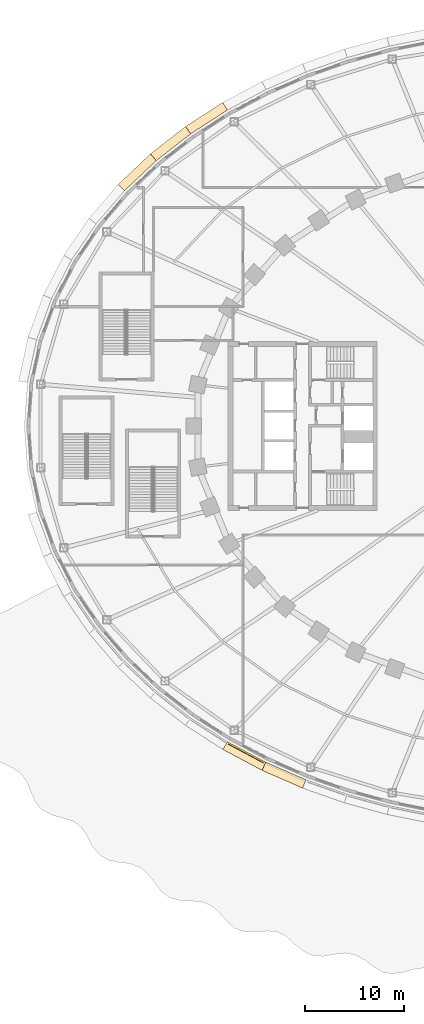
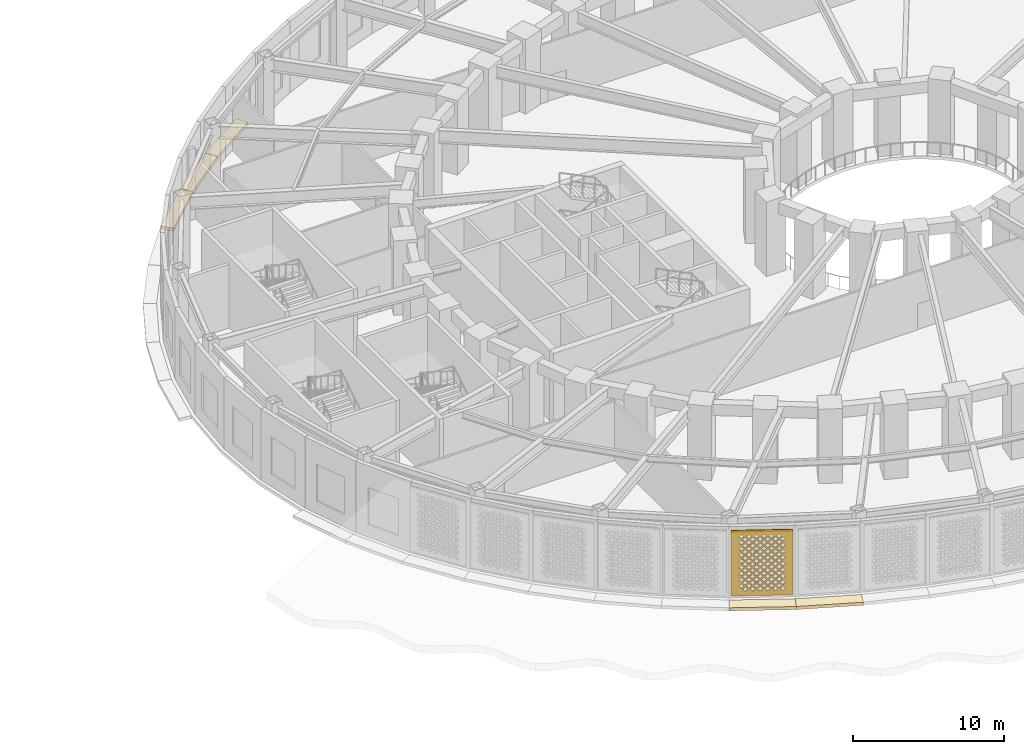
# One storey, part 50 of 74: 6 coverings.
"""IFC4 building model written with IfcOpenShell, lengths in metres."""

from ifc_helpers import new_model, si_unit, direction, frame, origin, place, context, subcontext, project, spatial, polyline, outline, extrude, material, layer, layer_set, type_object, element, save


model = new_model("IFC4")

# Units and contexts
model_context = context("Model", 3, precision=1e-05, world=origin(), true_north=direction((0.0, 1.0)))
body_context = subcontext(model_context, "Body", "Model", "MODEL_VIEW")
ifc_project = project(units=[si_unit("LENGTHUNIT", "METRE"), si_unit("AREAUNIT", "SQUARE_METRE"), si_unit("VOLUMEUNIT", "CUBIC_METRE"), si_unit("PLANEANGLEUNIT", "RADIAN"), si_unit("MASSUNIT", "GRAM", prefix="KILO")], contexts=[model_context])

# Site, building, storey
site_placement = place(None, origin())
site = spatial("IfcSite", under=ifc_project, at=site_placement, CompositionType="ELEMENT")
building_placement = place(site_placement, origin())
building = spatial("IfcBuilding", under=site, at=building_placement, Name="Noorbagh Ring Tower", CompositionType="ELEMENT")
storey_placement = place(building_placement, frame((0.0, 0.0, 7.5)))
storey = spatial("IfcBuildingStorey", under=building, at=storey_placement, Name="L01", CompositionType="ELEMENT", Elevation=7.5)

# Coverings
ifc_material_1 = material(Name="Red sandstone eave", Category="masonry")
covering_type_1 = type_object("IfcCoveringType", Name="STY-CHHAJJA", PredefinedType="USERDEFINED", material=ifc_material_1)
covering_1_placement = place(storey_placement, frame((0.0, 0.0, -0.25)))
element("IfcCovering", 1, at=covering_1_placement, inside=storey, type_object=covering_type_1, Name="Chhajja eave", ObjectType="CHHAJJA", PredefinedType="USERDEFINED", context=body_context, shape_type="SweptSolid", body=[
    extrude(outline(polyline([(-31.5546875, 31.793701171875), (-35.247802734375, 29.408203125), (-35.769775390625, 30.142578125), (-32.011474609375, 32.56982421875), (-31.5546875, 31.793701171875)])), origin(), (0.0, 0.0, 1.0), 0.25),
])
covering_2_placement = place(storey_placement, frame((0.0, 0.0, -0.25)))
element("IfcCovering", 2, at=covering_2_placement, inside=storey, type_object=covering_type_1, Name="Chhajja eave", ObjectType="CHHAJJA", PredefinedType="USERDEFINED", context=body_context, shape_type="SweptSolid", body=[
    extrude(outline(polyline([(-35.247802734375, 29.408203125), (-38.71435546875, 26.70458984375), (-39.3017578125, 27.3876953125), (-35.769775390625, 30.142578125), (-35.247802734375, 29.408203125)])), origin(), (0.0, 0.0, 1.0), 0.25),
])
covering_3_placement = place(storey_placement, frame((0.0, 0.0, -0.25)))
element("IfcCovering", 3, at=covering_3_placement, inside=storey, type_object=covering_type_1, Name="Chhajja eave", ObjectType="CHHAJJA", PredefinedType="USERDEFINED", context=body_context, shape_type="SweptSolid", body=[
    extrude(outline(polyline([(-38.71435546875, 26.70458984375), (-41.906494140625, 23.682373046875), (-42.55908203125, 24.3037109375), (-39.3017578125, 27.3876953125), (-38.71435546875, 26.70458984375)])), origin(), (0.0, 0.0, 1.0), 0.25),
])
covering_4_placement = place(storey_placement, frame((0.0, 0.0, -0.25)))
element("IfcCovering", 4, at=covering_4_placement, inside=storey, type_object=covering_type_1, Name="Chhajja eave", ObjectType="CHHAJJA", PredefinedType="USERDEFINED", context=body_context, shape_type="SweptSolid", body=[
    extrude(outline(polyline([(-31.5546875, -31.793701171875), (-27.67578125, -33.864013671875), (-28.068603515625, -34.674560546875), (-32.011474609375, -32.56982421875), (-31.5546875, -31.793701171875)])), origin(), (0.0, 0.0, 1.0), 0.25),
])
covering_5_placement = place(storey_placement, frame((0.0, 0.0, -0.25)))
element("IfcCovering", 5, at=covering_5_placement, inside=storey, type_object=covering_type_1, Name="Chhajja eave", ObjectType="CHHAJJA", PredefinedType="USERDEFINED", context=body_context, shape_type="SweptSolid", body=[
    extrude(outline(polyline([(-27.67578125, -33.864013671875), (-23.647216796875, -35.624755859375), (-23.976806640625, -36.462890625), (-28.068603515625, -34.674560546875), (-27.67578125, -33.864013671875)])), origin(), (0.0, 0.0, 1.0), 0.25),
])
ifc_material_2 = material(Name="Red sandstone jali", Category="masonry")
ifc_layer = layer(ifc_material_2, 0.0400390625)
ifc_layer_set = layer_set([ifc_layer], Name="Red sandstone jali")
covering_type_2 = type_object("IfcCoveringType", Name="STY-JALI", PredefinedType="USERDEFINED", material=ifc_layer_set)
covering_6_placement = place(storey_placement, frame((-31.51171875, -32.031982421875, 0.449951171875), z_axis=(-0.470869695201, -0.882202771556, 0.0), x_axis=(0.882202771556, -0.470869695201, 0.0)))
element("IfcCovering", 6, at=covering_6_placement, inside=storey, type_object=covering_type_2, Name="Jali screen", ObjectType="SCREEN", PredefinedType="USERDEFINED", context=body_context, shape_type="SweptSolid", body=[
    extrude(outline(polyline([(0.0, 0.0), (4.0966796875, 0.0), (4.0966796875, 5.300048828125), (0.0, 5.300048828125), (0.0, 0.0)]), holes=[polyline([(0.743408203125, 0.52490234375), (0.92333984375, 0.344970703125), (1.103271484375, 0.52490234375), (0.92333984375, 0.705078125), (0.743408203125, 0.52490234375)]), polyline([(1.243408203125, 0.52490234375), (1.42333984375, 0.344970703125), (1.603271484375, 0.52490234375), (1.42333984375, 0.705078125), (1.243408203125, 0.52490234375)]), polyline([(1.743408203125, 0.52490234375), (1.92333984375, 0.344970703125), (2.103271484375, 0.52490234375), (1.92333984375, 0.705078125), (1.743408203125, 0.52490234375)]), polyline([(2.243408203125, 0.52490234375), (2.42333984375, 0.344970703125), (2.603271484375, 0.52490234375), (2.42333984375, 0.705078125), (2.243408203125, 0.52490234375)]), polyline([(2.743408203125, 0.52490234375), (2.92333984375, 0.344970703125), (3.103271484375, 0.52490234375), (2.92333984375, 0.705078125), (2.743408203125, 0.52490234375)]), polyline([(3.243408203125, 0.52490234375), (3.42333984375, 0.344970703125), (3.603271484375, 0.52490234375), (3.42333984375, 0.705078125), (3.243408203125, 0.52490234375)]), polyline([(0.493408203125, 0.77490234375), (0.67333984375, 0.594970703125), (0.853271484375, 0.77490234375), (0.67333984375, 0.955078125), (0.493408203125, 0.77490234375)]), polyline([(0.993408203125, 0.77490234375), (1.17333984375, 0.594970703125), (1.353271484375, 0.77490234375), (1.17333984375, 0.955078125), (0.993408203125, 0.77490234375)]), polyline([(1.493408203125, 0.77490234375), (1.67333984375, 0.594970703125), (1.853271484375, 0.77490234375), (1.67333984375, 0.955078125), (1.493408203125, 0.77490234375)]), polyline([(1.993408203125, 0.77490234375), (2.17333984375, 0.594970703125), (2.353271484375, 0.77490234375), (2.17333984375, 0.955078125), (1.993408203125, 0.77490234375)]), polyline([(2.493408203125, 0.77490234375), (2.67333984375, 0.594970703125), (2.853271484375, 0.77490234375), (2.67333984375, 0.955078125), (2.493408203125, 0.77490234375)]), polyline([(2.993408203125, 0.77490234375), (3.17333984375, 0.594970703125), (3.353271484375, 0.77490234375), (3.17333984375, 0.955078125), (2.993408203125, 0.77490234375)]), polyline([(0.743408203125, 1.02490234375), (0.92333984375, 0.844970703125), (1.103271484375, 1.02490234375), (0.92333984375, 1.205078125), (0.743408203125, 1.02490234375)]), polyline([(1.243408203125, 1.02490234375), (1.42333984375, 0.844970703125), (1.603271484375, 1.02490234375), (1.42333984375, 1.205078125), (1.243408203125, 1.02490234375)]), polyline([(1.743408203125, 1.02490234375), (1.92333984375, 0.844970703125), (2.103271484375, 1.02490234375), (1.92333984375, 1.205078125), (1.743408203125, 1.02490234375)]), polyline([(2.243408203125, 1.02490234375), (2.42333984375, 0.844970703125), (2.603271484375, 1.02490234375), (2.42333984375, 1.205078125), (2.243408203125, 1.02490234375)]), polyline([(2.743408203125, 1.02490234375), (2.92333984375, 0.844970703125), (3.103271484375, 1.02490234375), (2.92333984375, 1.205078125), (2.743408203125, 1.02490234375)]), polyline([(3.243408203125, 1.02490234375), (3.42333984375, 0.844970703125), (3.603271484375, 1.02490234375), (3.42333984375, 1.205078125), (3.243408203125, 1.02490234375)]), polyline([(0.493408203125, 1.27490234375), (0.67333984375, 1.094970703125), (0.853271484375, 1.27490234375), (0.67333984375, 1.455078125), (0.493408203125, 1.27490234375)]), polyline([(0.993408203125, 1.27490234375), (1.17333984375, 1.094970703125), (1.353271484375, 1.27490234375), (1.17333984375, 1.455078125), (0.993408203125, 1.27490234375)]), polyline([(1.493408203125, 1.27490234375), (1.67333984375, 1.094970703125), (1.853271484375, 1.27490234375), (1.67333984375, 1.455078125), (1.493408203125, 1.27490234375)]), polyline([(1.993408203125, 1.27490234375), (2.17333984375, 1.094970703125), (2.353271484375, 1.27490234375), (2.17333984375, 1.455078125), (1.993408203125, 1.27490234375)]), polyline([(2.493408203125, 1.27490234375), (2.67333984375, 1.094970703125), (2.853271484375, 1.27490234375), (2.67333984375, 1.455078125), (2.493408203125, 1.27490234375)]), polyline([(2.993408203125, 1.27490234375), (3.17333984375, 1.094970703125), (3.353271484375, 1.27490234375), (3.17333984375, 1.455078125), (2.993408203125, 1.27490234375)]), polyline([(0.743408203125, 1.52490234375), (0.92333984375, 1.344970703125), (1.103271484375, 1.52490234375), (0.92333984375, 1.705078125), (0.743408203125, 1.52490234375)]), polyline([(1.243408203125, 1.52490234375), (1.42333984375, 1.344970703125), (1.603271484375, 1.52490234375), (1.42333984375, 1.705078125), (1.243408203125, 1.52490234375)]), polyline([(1.743408203125, 1.52490234375), (1.92333984375, 1.344970703125), (2.103271484375, 1.52490234375), (1.92333984375, 1.705078125), (1.743408203125, 1.52490234375)]), polyline([(2.243408203125, 1.52490234375), (2.42333984375, 1.344970703125), (2.603271484375, 1.52490234375), (2.42333984375, 1.705078125), (2.243408203125, 1.52490234375)]), polyline([(2.743408203125, 1.52490234375), (2.92333984375, 1.344970703125), (3.103271484375, 1.52490234375), (2.92333984375, 1.705078125), (2.743408203125, 1.52490234375)]), polyline([(3.243408203125, 1.52490234375), (3.42333984375, 1.344970703125), (3.603271484375, 1.52490234375), (3.42333984375, 1.705078125), (3.243408203125, 1.52490234375)]), polyline([(0.493408203125, 1.77490234375), (0.67333984375, 1.594970703125), (0.853271484375, 1.77490234375), (0.67333984375, 1.955078125), (0.493408203125, 1.77490234375)]), polyline([(0.993408203125, 1.77490234375), (1.17333984375, 1.594970703125), (1.353271484375, 1.77490234375), (1.17333984375, 1.955078125), (0.993408203125, 1.77490234375)]), polyline([(1.493408203125, 1.77490234375), (1.67333984375, 1.594970703125), (1.853271484375, 1.77490234375), (1.67333984375, 1.955078125), (1.493408203125, 1.77490234375)]), polyline([(1.993408203125, 1.77490234375), (2.17333984375, 1.594970703125), (2.353271484375, 1.77490234375), (2.17333984375, 1.955078125), (1.993408203125, 1.77490234375)]), polyline([(2.493408203125, 1.77490234375), (2.67333984375, 1.594970703125), (2.853271484375, 1.77490234375), (2.67333984375, 1.955078125), (2.493408203125, 1.77490234375)]), polyline([(2.993408203125, 1.77490234375), (3.17333984375, 1.594970703125), (3.353271484375, 1.77490234375), (3.17333984375, 1.955078125), (2.993408203125, 1.77490234375)]), polyline([(0.743408203125, 2.02490234375), (0.92333984375, 1.844970703125), (1.103271484375, 2.02490234375), (0.92333984375, 2.205078125), (0.743408203125, 2.02490234375)]), polyline([(1.243408203125, 2.02490234375), (1.42333984375, 1.844970703125), (1.603271484375, 2.02490234375), (1.42333984375, 2.205078125), (1.243408203125, 2.02490234375)]), polyline([(1.743408203125, 2.02490234375), (1.92333984375, 1.844970703125), (2.103271484375, 2.02490234375), (1.92333984375, 2.205078125), (1.743408203125, 2.02490234375)]), polyline([(2.243408203125, 2.02490234375), (2.42333984375, 1.844970703125), (2.603271484375, 2.02490234375), (2.42333984375, 2.205078125), (2.243408203125, 2.02490234375)]), polyline([(2.743408203125, 2.02490234375), (2.92333984375, 1.844970703125), (3.103271484375, 2.02490234375), (2.92333984375, 2.205078125), (2.743408203125, 2.02490234375)]), polyline([(3.243408203125, 2.02490234375), (3.42333984375, 1.844970703125), (3.603271484375, 2.02490234375), (3.42333984375, 2.205078125), (3.243408203125, 2.02490234375)]), polyline([(0.493408203125, 2.27490234375), (0.67333984375, 2.094970703125), (0.853271484375, 2.27490234375), (0.67333984375, 2.455078125), (0.493408203125, 2.27490234375)]), polyline([(0.993408203125, 2.27490234375), (1.17333984375, 2.094970703125), (1.353271484375, 2.27490234375), (1.17333984375, 2.455078125), (0.993408203125, 2.27490234375)]), polyline([(1.493408203125, 2.27490234375), (1.67333984375, 2.094970703125), (1.853271484375, 2.27490234375), (1.67333984375, 2.455078125), (1.493408203125, 2.27490234375)]), polyline([(1.993408203125, 2.27490234375), (2.17333984375, 2.094970703125), (2.353271484375, 2.27490234375), (2.17333984375, 2.455078125), (1.993408203125, 2.27490234375)]), polyline([(2.493408203125, 2.27490234375), (2.67333984375, 2.094970703125), (2.853271484375, 2.27490234375), (2.67333984375, 2.455078125), (2.493408203125, 2.27490234375)]), polyline([(2.993408203125, 2.27490234375), (3.17333984375, 2.094970703125), (3.353271484375, 2.27490234375), (3.17333984375, 2.455078125), (2.993408203125, 2.27490234375)]), polyline([(0.743408203125, 2.52490234375), (0.92333984375, 2.344970703125), (1.103271484375, 2.52490234375), (0.92333984375, 2.705078125), (0.743408203125, 2.52490234375)]), polyline([(1.243408203125, 2.52490234375), (1.42333984375, 2.344970703125), (1.603271484375, 2.52490234375), (1.42333984375, 2.705078125), (1.243408203125, 2.52490234375)]), polyline([(1.743408203125, 2.52490234375), (1.92333984375, 2.344970703125), (2.103271484375, 2.52490234375), (1.92333984375, 2.705078125), (1.743408203125, 2.52490234375)]), polyline([(2.243408203125, 2.52490234375), (2.42333984375, 2.344970703125), (2.603271484375, 2.52490234375), (2.42333984375, 2.705078125), (2.243408203125, 2.52490234375)]), polyline([(2.743408203125, 2.52490234375), (2.92333984375, 2.344970703125), (3.103271484375, 2.52490234375), (2.92333984375, 2.705078125), (2.743408203125, 2.52490234375)]), polyline([(3.243408203125, 2.52490234375), (3.42333984375, 2.344970703125), (3.603271484375, 2.52490234375), (3.42333984375, 2.705078125), (3.243408203125, 2.52490234375)]), polyline([(0.493408203125, 2.77490234375), (0.67333984375, 2.594970703125), (0.853271484375, 2.77490234375), (0.67333984375, 2.955078125), (0.493408203125, 2.77490234375)]), polyline([(0.993408203125, 2.77490234375), (1.17333984375, 2.594970703125), (1.353271484375, 2.77490234375), (1.17333984375, 2.955078125), (0.993408203125, 2.77490234375)]), polyline([(1.493408203125, 2.77490234375), (1.67333984375, 2.594970703125), (1.853271484375, 2.77490234375), (1.67333984375, 2.955078125), (1.493408203125, 2.77490234375)]), polyline([(1.993408203125, 2.77490234375), (2.17333984375, 2.594970703125), (2.353271484375, 2.77490234375), (2.17333984375, 2.955078125), (1.993408203125, 2.77490234375)]), polyline([(2.493408203125, 2.77490234375), (2.67333984375, 2.594970703125), (2.853271484375, 2.77490234375), (2.67333984375, 2.955078125), (2.493408203125, 2.77490234375)]), polyline([(2.993408203125, 2.77490234375), (3.17333984375, 2.594970703125), (3.353271484375, 2.77490234375), (3.17333984375, 2.955078125), (2.993408203125, 2.77490234375)]), polyline([(0.743408203125, 3.02490234375), (0.92333984375, 2.844970703125), (1.103271484375, 3.02490234375), (0.92333984375, 3.205078125), (0.743408203125, 3.02490234375)]), polyline([(1.243408203125, 3.02490234375), (1.42333984375, 2.844970703125), (1.603271484375, 3.02490234375), (1.42333984375, 3.205078125), (1.243408203125, 3.02490234375)]), polyline([(1.743408203125, 3.02490234375), (1.92333984375, 2.844970703125), (2.103271484375, 3.02490234375), (1.92333984375, 3.205078125), (1.743408203125, 3.02490234375)]), polyline([(2.243408203125, 3.02490234375), (2.42333984375, 2.844970703125), (2.603271484375, 3.02490234375), (2.42333984375, 3.205078125), (2.243408203125, 3.02490234375)]), polyline([(2.743408203125, 3.02490234375), (2.92333984375, 2.844970703125), (3.103271484375, 3.02490234375), (2.92333984375, 3.205078125), (2.743408203125, 3.02490234375)]), polyline([(3.243408203125, 3.02490234375), (3.42333984375, 2.844970703125), (3.603271484375, 3.02490234375), (3.42333984375, 3.205078125), (3.243408203125, 3.02490234375)]), polyline([(0.493408203125, 3.27490234375), (0.67333984375, 3.094970703125), (0.853271484375, 3.27490234375), (0.67333984375, 3.455078125), (0.493408203125, 3.27490234375)]), polyline([(0.993408203125, 3.27490234375), (1.17333984375, 3.094970703125), (1.353271484375, 3.27490234375), (1.17333984375, 3.455078125), (0.993408203125, 3.27490234375)]), polyline([(1.493408203125, 3.27490234375), (1.67333984375, 3.094970703125), (1.853271484375, 3.27490234375), (1.67333984375, 3.455078125), (1.493408203125, 3.27490234375)]), polyline([(1.993408203125, 3.27490234375), (2.17333984375, 3.094970703125), (2.353271484375, 3.27490234375), (2.17333984375, 3.455078125), (1.993408203125, 3.27490234375)]), polyline([(2.493408203125, 3.27490234375), (2.67333984375, 3.094970703125), (2.853271484375, 3.27490234375), (2.67333984375, 3.455078125), (2.493408203125, 3.27490234375)]), polyline([(2.993408203125, 3.27490234375), (3.17333984375, 3.094970703125), (3.353271484375, 3.27490234375), (3.17333984375, 3.455078125), (2.993408203125, 3.27490234375)]), polyline([(0.743408203125, 3.52490234375), (0.92333984375, 3.344970703125), (1.103271484375, 3.52490234375), (0.92333984375, 3.705078125), (0.743408203125, 3.52490234375)]), polyline([(1.243408203125, 3.52490234375), (1.42333984375, 3.344970703125), (1.603271484375, 3.52490234375), (1.42333984375, 3.705078125), (1.243408203125, 3.52490234375)]), polyline([(1.743408203125, 3.52490234375), (1.92333984375, 3.344970703125), (2.103271484375, 3.52490234375), (1.92333984375, 3.705078125), (1.743408203125, 3.52490234375)]), polyline([(2.243408203125, 3.52490234375), (2.42333984375, 3.344970703125), (2.603271484375, 3.52490234375), (2.42333984375, 3.705078125), (2.243408203125, 3.52490234375)]), polyline([(2.743408203125, 3.52490234375), (2.92333984375, 3.344970703125), (3.103271484375, 3.52490234375), (2.92333984375, 3.705078125), (2.743408203125, 3.52490234375)]), polyline([(3.243408203125, 3.52490234375), (3.42333984375, 3.344970703125), (3.603271484375, 3.52490234375), (3.42333984375, 3.705078125), (3.243408203125, 3.52490234375)]), polyline([(0.493408203125, 3.77490234375), (0.67333984375, 3.594970703125), (0.853271484375, 3.77490234375), (0.67333984375, 3.955078125), (0.493408203125, 3.77490234375)]), polyline([(0.993408203125, 3.77490234375), (1.17333984375, 3.594970703125), (1.353271484375, 3.77490234375), (1.17333984375, 3.955078125), (0.993408203125, 3.77490234375)]), polyline([(1.493408203125, 3.77490234375), (1.67333984375, 3.594970703125), (1.853271484375, 3.77490234375), (1.67333984375, 3.955078125), (1.493408203125, 3.77490234375)]), polyline([(1.993408203125, 3.77490234375), (2.17333984375, 3.594970703125), (2.353271484375, 3.77490234375), (2.17333984375, 3.955078125), (1.993408203125, 3.77490234375)]), polyline([(2.493408203125, 3.77490234375), (2.67333984375, 3.594970703125), (2.853271484375, 3.77490234375), (2.67333984375, 3.955078125), (2.493408203125, 3.77490234375)]), polyline([(2.993408203125, 3.77490234375), (3.17333984375, 3.594970703125), (3.353271484375, 3.77490234375), (3.17333984375, 3.955078125), (2.993408203125, 3.77490234375)]), polyline([(0.743408203125, 4.02490234375), (0.92333984375, 3.844970703125), (1.103271484375, 4.02490234375), (0.92333984375, 4.205078125), (0.743408203125, 4.02490234375)]), polyline([(1.243408203125, 4.02490234375), (1.42333984375, 3.844970703125), (1.603271484375, 4.02490234375), (1.42333984375, 4.205078125), (1.243408203125, 4.02490234375)]), polyline([(1.743408203125, 4.02490234375), (1.92333984375, 3.844970703125), (2.103271484375, 4.02490234375), (1.92333984375, 4.205078125), (1.743408203125, 4.02490234375)]), polyline([(2.243408203125, 4.02490234375), (2.42333984375, 3.844970703125), (2.603271484375, 4.02490234375), (2.42333984375, 4.205078125), (2.243408203125, 4.02490234375)]), polyline([(2.743408203125, 4.02490234375), (2.92333984375, 3.844970703125), (3.103271484375, 4.02490234375), (2.92333984375, 4.205078125), (2.743408203125, 4.02490234375)]), polyline([(3.243408203125, 4.02490234375), (3.42333984375, 3.844970703125), (3.603271484375, 4.02490234375), (3.42333984375, 4.205078125), (3.243408203125, 4.02490234375)]), polyline([(0.493408203125, 4.27490234375), (0.67333984375, 4.094970703125), (0.853271484375, 4.27490234375), (0.67333984375, 4.455078125), (0.493408203125, 4.27490234375)]), polyline([(0.993408203125, 4.27490234375), (1.17333984375, 4.094970703125), (1.353271484375, 4.27490234375), (1.17333984375, 4.455078125), (0.993408203125, 4.27490234375)]), polyline([(1.493408203125, 4.27490234375), (1.67333984375, 4.094970703125), (1.853271484375, 4.27490234375), (1.67333984375, 4.455078125), (1.493408203125, 4.27490234375)]), polyline([(1.993408203125, 4.27490234375), (2.17333984375, 4.094970703125), (2.353271484375, 4.27490234375), (2.17333984375, 4.455078125), (1.993408203125, 4.27490234375)]), polyline([(2.493408203125, 4.27490234375), (2.67333984375, 4.094970703125), (2.853271484375, 4.27490234375), (2.67333984375, 4.455078125), (2.493408203125, 4.27490234375)]), polyline([(2.993408203125, 4.27490234375), (3.17333984375, 4.094970703125), (3.353271484375, 4.27490234375), (3.17333984375, 4.455078125), (2.993408203125, 4.27490234375)]), polyline([(0.743408203125, 4.52490234375), (0.92333984375, 4.344970703125), (1.103271484375, 4.52490234375), (0.92333984375, 4.705078125), (0.743408203125, 4.52490234375)]), polyline([(1.243408203125, 4.52490234375), (1.42333984375, 4.344970703125), (1.603271484375, 4.52490234375), (1.42333984375, 4.705078125), (1.243408203125, 4.52490234375)]), polyline([(1.743408203125, 4.52490234375), (1.92333984375, 4.344970703125), (2.103271484375, 4.52490234375), (1.92333984375, 4.705078125), (1.743408203125, 4.52490234375)]), polyline([(2.243408203125, 4.52490234375), (2.42333984375, 4.344970703125), (2.603271484375, 4.52490234375), (2.42333984375, 4.705078125), (2.243408203125, 4.52490234375)]), polyline([(2.743408203125, 4.52490234375), (2.92333984375, 4.344970703125), (3.103271484375, 4.52490234375), (2.92333984375, 4.705078125), (2.743408203125, 4.52490234375)]), polyline([(3.243408203125, 4.52490234375), (3.42333984375, 4.344970703125), (3.603271484375, 4.52490234375), (3.42333984375, 4.705078125), (3.243408203125, 4.52490234375)]), polyline([(0.493408203125, 4.77490234375), (0.67333984375, 4.594970703125), (0.853271484375, 4.77490234375), (0.67333984375, 4.955078125), (0.493408203125, 4.77490234375)]), polyline([(0.993408203125, 4.77490234375), (1.17333984375, 4.594970703125), (1.353271484375, 4.77490234375), (1.17333984375, 4.955078125), (0.993408203125, 4.77490234375)]), polyline([(1.493408203125, 4.77490234375), (1.67333984375, 4.594970703125), (1.853271484375, 4.77490234375), (1.67333984375, 4.955078125), (1.493408203125, 4.77490234375)]), polyline([(1.993408203125, 4.77490234375), (2.17333984375, 4.594970703125), (2.353271484375, 4.77490234375), (2.17333984375, 4.955078125), (1.993408203125, 4.77490234375)]), polyline([(2.493408203125, 4.77490234375), (2.67333984375, 4.594970703125), (2.853271484375, 4.77490234375), (2.67333984375, 4.955078125), (2.493408203125, 4.77490234375)]), polyline([(2.993408203125, 4.77490234375), (3.17333984375, 4.594970703125), (3.353271484375, 4.77490234375), (3.17333984375, 4.955078125), (2.993408203125, 4.77490234375)])]), origin(), (0.0, 0.0, -1.0), 0.0400390625),
])

save(model, "model.ifc")
